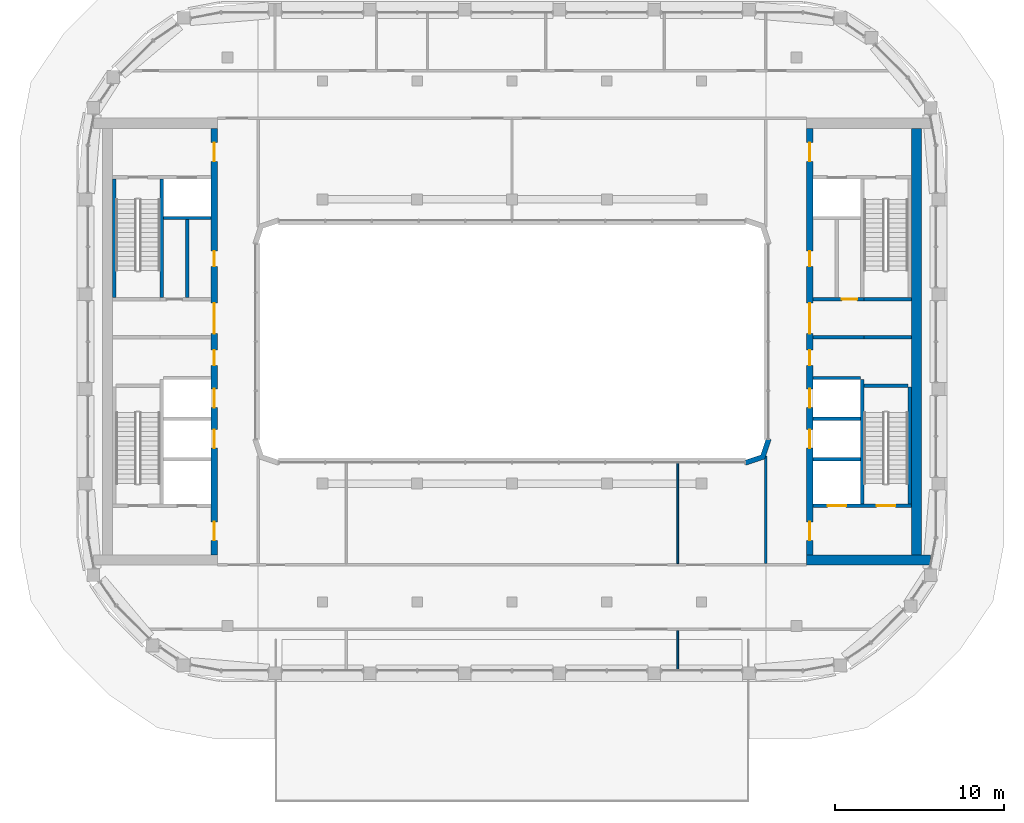
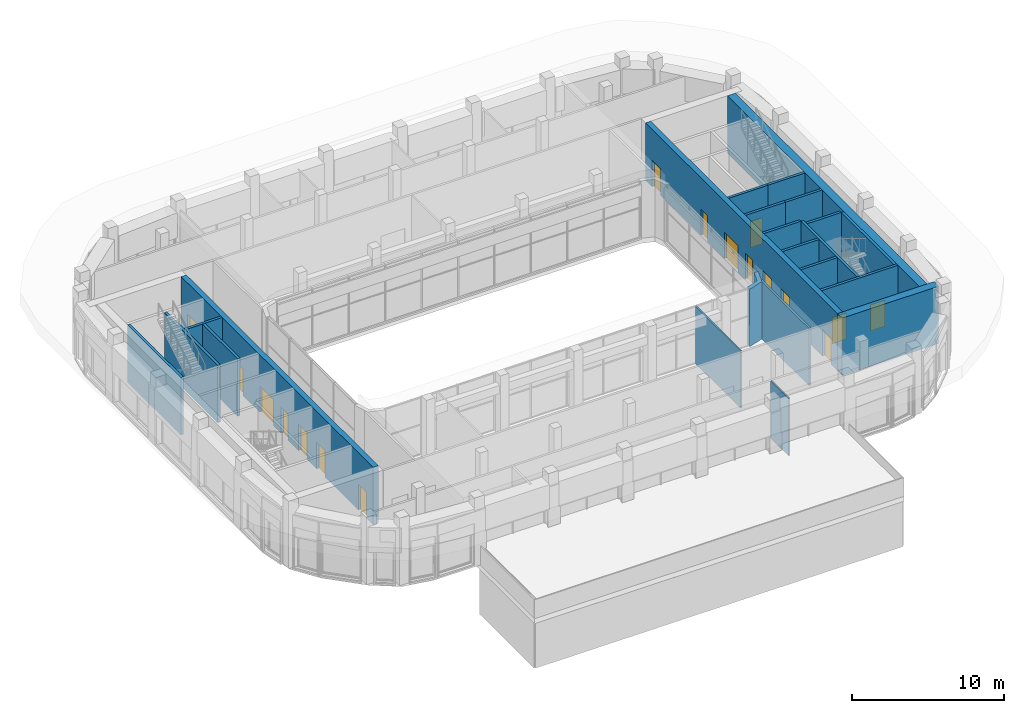
# One storey, part 14 of 23: 23 walls, 17 doors, 17 openings.
"""IFC4 building model written with IfcOpenShell, lengths in metres."""

import ifcopenshell
import ifcopenshell.guid

model = None  # the IFC model being written
_history = None  # IfcOwnerHistory: only IFC2X3 demands one
_inside = {}  # id of a spatial element -> (the spatial element, [elements in it])
_under = {}  # id of a project, library or spatial element -> (it, [spatial elements below it])
_declared = {}  # id of a project -> (the project, [libraries it declares])
_typed = {}  # id of a type object -> (the type object, [elements of that type])
_made_of = {}  # id of a material, layer set ... -> (it, [elements and type objects made of it])


def new_model(schema):
    """Start an empty IFC model of exactly this schema.

    Asked for "IFC4X3", IfcOpenShell would pick the latest addendum, in which some entities
    have other attributes; the version numbers below select the first issue.
    IFC2X3 requires an IfcOwnerHistory on every rooted entity: one is made here for all.
    """
    global model, _history
    if schema == "IFC4X3":
        model = ifcopenshell.file(schema_version=(4, 3, 0, 0))
    else:
        model = ifcopenshell.file(schema=schema)
    _inside.clear()
    _under.clear()
    _declared.clear()
    _typed.clear()
    _made_of.clear()
    _history = None
    if model.schema == "IFC2X3":
        org = make("IfcOrganization", Name="unknown")
        user = make(
            "IfcPersonAndOrganization",
            ThePerson=make("IfcPerson", FamilyName="unknown"),
            TheOrganization=org,
        )
        app = make(
            "IfcApplication",
            ApplicationDeveloper=org,
            Version="unknown",
            ApplicationFullName="unknown",
            ApplicationIdentifier="unknown",
        )
        _history = make(
            "IfcOwnerHistory",
            OwningUser=user,
            OwningApplication=app,
            ChangeAction="ADDED",
            CreationDate=0,
        )
    return model


def make(cls, **values):
    """One entity of the class cls with the attributes given. An attribute that is None is left unset."""
    return model.create_entity(
        cls, **{name: value for name, value in values.items() if value is not None}
    )


def rooted(cls, **values):
    """An entity with a GlobalId (a new one), such as an element, a storey or a relation."""
    return make(cls, GlobalId=ifcopenshell.guid.new(), OwnerHistory=_history, **values)


def si_unit(unit_type, name, prefix=None):
    """IfcSIUnit, for example si_unit("LENGTHUNIT", "METRE", prefix="MILLI")."""
    return make("IfcSIUnit", UnitType=unit_type, Prefix=prefix, Name=name)


def assignment(units):
    """IfcUnitAssignment: the units of a project."""
    return None if units is None else make("IfcUnitAssignment", Units=units)


def point(xyz):
    """IfcCartesianPoint."""
    return None if xyz is None else make("IfcCartesianPoint", Coordinates=xyz)


def direction(xyz):
    """IfcDirection."""
    return None if xyz is None else make("IfcDirection", DirectionRatios=xyz)


def frame(location, z_axis=None, x_axis=None):
    """IfcAxis2Placement3D, a coordinate frame: its origin and axes. An axis left out is left unset."""
    return make(
        "IfcAxis2Placement3D",
        Location=point(location),
        Axis=direction(z_axis),
        RefDirection=direction(x_axis),
    )


def frame_2d(location, x_axis=None):
    """IfcAxis2Placement2D, a coordinate frame in the plane: its origin and x axis."""
    return make(
        "IfcAxis2Placement2D", Location=point(location), RefDirection=direction(x_axis)
    )


def origin():
    """The frame at (0, 0, 0) with its axes left unset."""
    return frame((0.0, 0.0, 0.0))


def place(relative_to, where):
    """IfcLocalPlacement: puts the frame where relative to a parent placement (None: the world)."""
    return make(
        "IfcLocalPlacement", PlacementRelTo=relative_to, RelativePlacement=where
    )


def context(
    kind, dimensions, precision=None, world=None, true_north=None, identifier=None
):
    """IfcGeometricRepresentationContext, for example the 3D "Model" context."""
    return make(
        "IfcGeometricRepresentationContext",
        ContextIdentifier=identifier,
        ContextType=kind,
        CoordinateSpaceDimension=dimensions,
        Precision=precision,
        WorldCoordinateSystem=world,
        TrueNorth=true_north,
    )


def subcontext(parent, identifier, kind, view, scale=None):
    """IfcGeometricRepresentationSubContext, for example "Body" below "Model"."""
    return make(
        "IfcGeometricRepresentationSubContext",
        ContextIdentifier=identifier,
        ContextType=kind,
        ParentContext=parent,
        TargetScale=scale,
        TargetView=view,
    )


def project(units=None, contexts=None):
    """IfcProject with its units and contexts."""
    return rooted(
        "IfcProject",
        Name="project",
        RepresentationContexts=contexts,
        UnitsInContext=assignment(units),
    )


def spatial(cls, under=None, at=None, **own):
    """A site, building, storey or space (cls), placed at a placement, below another one or the project."""
    s = rooted(cls, ObjectPlacement=at, **own)
    if under is not None:
        _under.setdefault(under.id(), (under, []))[1].append(s)
    return s


def polyline(points):
    """IfcPolyline through the points."""
    return make("IfcPolyline", Points=[point(p) for p in points])


def profile(cls, at=None, kind="AREA", **sizes):
    """A parametric profile (cls). Its sizes go by their IFC names, for example OverallWidth=200.0."""
    return make(cls, ProfileType=kind, Position=at, **sizes)


def rectangle(**sizes):
    """IfcRectangleProfileDef."""
    return profile("IfcRectangleProfileDef", **sizes)


def outline(outer, holes=None, kind="AREA"):
    """IfcArbitraryClosedProfileDef: a profile drawn as a closed curve; with holes, ...WithVoids."""
    if holes is None:
        return make("IfcArbitraryClosedProfileDef", ProfileType=kind, OuterCurve=outer)
    return make(
        "IfcArbitraryProfileDefWithVoids",
        ProfileType=kind,
        OuterCurve=outer,
        InnerCurves=holes,
    )


def extrude(swept, where, along, depth):
    """IfcExtrudedAreaSolid: the profile swept, set in the frame where, extruded along a direction by depth."""
    return make(
        "IfcExtrudedAreaSolid",
        SweptArea=swept,
        Position=where,
        ExtrudedDirection=direction(along),
        Depth=depth,
    )


def shape(context_of_items, identifier, shape_type, items):
    """IfcShapeRepresentation: the items that make up one representation, for example the "Body"."""
    return make(
        "IfcShapeRepresentation",
        ContextOfItems=context_of_items,
        RepresentationIdentifier=identifier,
        RepresentationType=shape_type,
        Items=items,
    )


def material(Name=None, Category=None):
    """IfcMaterial."""
    return make("IfcMaterial", Name=Name, Category=Category)


def layer(
    of_material, thickness, ventilated=None, Name=None, Category=None, Priority=None
):
    """IfcMaterialLayer: one layer of a wall or slab, of a material (None: an air gap)."""
    return make(
        "IfcMaterialLayer",
        Material=of_material,
        LayerThickness=thickness,
        IsVentilated=ventilated,
        Name=Name,
        Category=Category,
        Priority=Priority,
    )


def layer_set(layers, Name=None):
    """IfcMaterialLayerSet."""
    return make("IfcMaterialLayerSet", MaterialLayers=layers, LayerSetName=Name)


def made_of(thing, what):
    """Note that an element or type object is made of a material, layer set ...; save() writes the relation."""
    if what is not None:
        _made_of.setdefault(what.id(), (what, []))[1].append(thing)
    return thing


def type_object(cls, material=None, **own):
    """A type object (cls), such as IfcWallType, which elements share."""
    return made_of(rooted(cls, **own), material)


def element(
    cls,
    number,
    at=None,
    inside=None,
    cuts=None,
    type_object=None,
    material=None,
    context=None,
    identifier="Body",
    shape_type=None,
    held_by="IfcProductDefinitionShape",
    body=None,
    shapes=None,
    **own,
):
    """One element of the class cls, such as IfcWall. Its Tag is "e" and its number.

    at: its placement. inside: the storey or other place that contains it. cuts: it is an
    opening in that element (IfcRelVoidsElement). A single representation is given by context,
    identifier, shape_type and body (its items); several are given by shapes. held_by: the class
    of the entity that holds the representations. save() writes the other relations.
    """
    e = rooted(cls, Tag="e%d" % number, ObjectPlacement=at, **own)
    if body is not None:
        shapes = [shape(context, identifier, shape_type, body)]
    if shapes is not None:
        e.Representation = make(held_by, Representations=shapes)
    if inside is not None:
        _inside.setdefault(inside.id(), (inside, []))[1].append(e)
    if cuts is not None:
        rooted(
            "IfcRelVoidsElement", RelatingBuildingElement=cuts, RelatedOpeningElement=e
        )
    if type_object is not None:
        _typed.setdefault(type_object.id(), (type_object, []))[1].append(e)
    return made_of(e, material)


def fill(opening, filler):
    """IfcRelFillsElement: the door or window that sits in an opening."""
    return rooted(
        "IfcRelFillsElement",
        RelatingOpeningElement=opening,
        RelatedBuildingElement=filler,
    )


def aggregate(whole, parts):
    """IfcRelAggregates: a whole, such as a stair, and the parts it consists of."""
    return rooted("IfcRelAggregates", RelatingObject=whole, RelatedObjects=parts)


def save(model, path):
    """Write the relations noted so far, then the file.

    IfcRelAggregates (storeys below a building ...), IfcRelContainedInSpatialStructure (elements
    in a storey), IfcRelDefinesByType, IfcRelAssociatesMaterial and IfcRelDeclares: one each for
    every whole, place, type object, material and project.
    """
    for whole, parts in _under.values():
        aggregate(whole, parts)
    for where, things in _inside.values():
        rooted(
            "IfcRelContainedInSpatialStructure",
            RelatedElements=things,
            RelatingStructure=where,
        )
    for kind, things in _typed.values():
        rooted("IfcRelDefinesByType", RelatedObjects=things, RelatingType=kind)
    for what, things in _made_of.values():
        rooted("IfcRelAssociatesMaterial", RelatedObjects=things, RelatingMaterial=what)
    for by, libraries in _declared.values():
        rooted("IfcRelDeclares", RelatingContext=by, RelatedDefinitions=libraries)
    model.write(path)


model = new_model("IFC4")

# Units and contexts
model_context = context("Model", 3, precision=1e-05, world=origin(), true_north=direction((0.0, 1.0)))
body_context = subcontext(model_context, "Body", "Model", "MODEL_VIEW")
ifc_project = project(units=[si_unit("LENGTHUNIT", "METRE"), si_unit("AREAUNIT", "SQUARE_METRE"), si_unit("VOLUMEUNIT", "CUBIC_METRE"), si_unit("PLANEANGLEUNIT", "RADIAN"), si_unit("MASSUNIT", "GRAM", prefix="KILO")], contexts=[model_context])

# Site, building, storey
site_placement = place(None, origin())
site = spatial("IfcSite", under=ifc_project, at=site_placement, CompositionType="ELEMENT")
building_placement = place(site_placement, origin())
building = spatial("IfcBuilding", under=site, at=building_placement, Name="Kiln Ring Residences", CompositionType="ELEMENT")
storey_placement = place(building_placement, frame((0.0, 0.0, 294.5)))
storey = spatial("IfcBuildingStorey", under=building, at=storey_placement, Name="L76", CompositionType="ELEMENT", Elevation=294.5)

# Walls
ifc_material_1 = material(Name="Gypsum board on steel studs", Category="steel")
ifc_layer_1 = layer(ifc_material_1, 0.199951171875)
ifc_layer_set_1 = layer_set([ifc_layer_1], Name="CORE-PARTITION-200")
wall_type_1 = type_object("IfcWallType", Name="CORE-PARTITION-200", PredefinedType="PARTITIONING", material=ifc_layer_set_1)
wall_1_placement = place(storey_placement, frame((-19.199951171875, 2.60009765625, 0.0), z_axis=(0.0, 0.0, 1.0), x_axis=(0.0, 1.0, 0.0)))
element("IfcWall", 1, at=wall_1_placement, inside=storey, type_object=wall_type_1, Name="Core partition west L76 2", PredefinedType="PARTITIONING", context=body_context, shape_type="SweptSolid", body=[
    extrude(rectangle(XDim=4.599853515625, YDim=0.199951171875, at=frame_2d((2.2998046875, 0.0))), origin(), (0.0, 0.0, 1.0), 4.60009765625),
])
wall_2_placement = place(storey_placement, frame((20.800048828125, 0.25, 0.0), z_axis=(0.0, 0.0, 1.0), x_axis=(1.0, 0.0, 0.0)))
element("IfcWall", 2, at=wall_2_placement, inside=storey, type_object=wall_type_1, Name="Core partition east L76 1", PredefinedType="PARTITIONING", context=body_context, shape_type="SweptSolid", body=[
    extrude(rectangle(XDim=2.800048828125, YDim=0.199951171875, at=frame_2d((1.39990234375, 0.0))), origin(), (0.0, 0.0, 1.0), 4.60009765625),
])
ifc_material_2 = material(Name="Gypsum shaft wall system")
ifc_layer_2 = layer(ifc_material_2, 0.199951171875)
ifc_layer_set_2 = layer_set([ifc_layer_2], Name="CORE-SHAFT-WALL-200")
wall_type_2 = type_object("IfcWallType", Name="CORE-SHAFT-WALL-200", PredefinedType="PARTITIONING", material=ifc_layer_set_2)
for number, where, z_axis, x_axis, name in (
    (3, (-17.800048828125, 7.300048828125, 0.0), (0.0, 0.0, 1.0), (-1.0, 0.0, 0.0), "Core partition west L76 8"),
    (4, (17.800048828125, -6.949951171875, 0.0), (0.0, 0.0, 1.0), (1.0, 0.0, 0.0), "Core partition east L76 3"),
    (5, (17.800048828125, -4.550048828125, 0.0), (0.0, 0.0, 1.0), (1.0, 0.0, 0.0), "Core partition east L76 4"),
    (6, (17.800048828125, -2.14990234375, 0.0), (0.0, 0.0, 1.0), (1.0, 0.0, 0.0), "Core partition east L76 5"),
):
    element("IfcWall", number, at=place(storey_placement, frame(where, z_axis=z_axis, x_axis=x_axis)), inside=storey, type_object=wall_type_2, Name=name, PredefinedType="PARTITIONING", context=body_context, shape_type="SweptSolid", body=[
        extrude(rectangle(XDim=2.800048828125, YDim=0.199951171875, at=frame_2d((1.39990234375, 0.0))), origin(), (0.0, 0.0, 1.0), 4.60009765625),
    ])
wall_3_placement = place(storey_placement, frame((17.800048828125, 0.25, 0.0), z_axis=(0.0, 0.0, 1.0), x_axis=(1.0, 0.0, 0.0)))
element("IfcWall", 7, at=wall_3_placement, inside=storey, type_object=wall_type_2, Name="Core partition east L76 6", PredefinedType="PARTITIONING", context=body_context, shape_type="SweptSolid", body=[
    extrude(rectangle(XDim=3.0, YDim=0.199951171875, at=frame_2d((1.5, 0.0))), origin(), (0.0, 0.0, 1.0), 4.60009765625),
])

# Wall, opening, door
wall_4_placement = place(storey_placement, frame((17.800048828125, 2.5, 0.0), z_axis=(0.0, 0.0, 1.0), x_axis=(1.0, 0.0, 0.0)))
wall_4 = element("IfcWall", 8, at=wall_4_placement, inside=storey, type_object=wall_type_2, Name="Core partition east L76 7", PredefinedType="PARTITIONING", context=body_context, shape_type="SweptSolid", body=[
    extrude(rectangle(XDim=3.0, YDim=0.199951171875, at=frame_2d((1.5, 0.0))), origin(), (0.0, 0.0, 1.0), 4.60009765625),
])
opening_1_placement = place(wall_4_placement, frame((1.699951171875, 0.0, 0.0)))
opening_1 = element("IfcOpeningElement", 9, at=opening_1_placement, cuts=wall_4, Name="Opening L76-CE06", PredefinedType="OPENING", context=body_context, shape_type="SweptSolid", body=[
    extrude(rectangle(XDim=0.89990234375, YDim=2.10009765625, at=frame_2d((0.449951171875, 1.050048828125))), frame((0.0, 0.10986328125, 0.0), z_axis=(0.0, -1.0, 0.0), x_axis=(1.0, 0.0, 0.0)), (0.0, 0.0, 1.0), 0.219970703125),
])
ifc_material_3 = material(Name="Steel door leaf", Category="steel")
door_type_1 = type_object("IfcDoorType", Name="CORE-DOOR-ROOM", OperationType="SINGLE_SWING_LEFT", PredefinedType="DOOR", material=ifc_material_3)
door_1_placement = place(opening_1_placement, origin())
door_1 = element("IfcDoor", 10, at=door_1_placement, inside=storey, type_object=door_type_1, Name="Service store L76-CE06", OperationType="SINGLE_SWING_RIGHT", OverallHeight=2.10009765625, OverallWidth=0.89990234375, PredefinedType="DOOR", context=body_context, shape_type="SweptSolid", body=[
    extrude(rectangle(XDim=0.89990234375, YDim=2.10009765625, at=frame_2d((0.449951171875, 1.050048828125))), frame((0.0, 0.02490234375, 0.0), z_axis=(0.0, -1.0, 0.0), x_axis=(1.0, 0.0, 0.0)), (0.0, 0.0, 1.0), 0.050048828125),
])
fill(opening_1, door_1)

# Walls
ifc_material_4 = material(Name="Concrete C40/50", Category="concrete")
ifc_layer_3 = layer(ifc_material_4, 0.199951171875)
ifc_layer_set_3 = layer_set([ifc_layer_3], Name="CORE-WALL-RC200")
wall_type_3 = type_object("IfcWallType", Name="CORE-WALL-RC200", PredefinedType="SHEAR", material=ifc_layer_set_3)
for number, where, z_axis, x_axis, name in (
    (11, (-20.699951171875, 2.60009765625, 0.0), (0.0, 0.0, 1.0), (0.0, 1.0, 0.0), "Core wall west L76 1"),
    (12, (-23.5, 2.60009765625, 0.0), (0.0, 0.0, 1.0), (0.0, 1.0, 0.0), "Core wall west L76 10"),
):
    element("IfcWall", number, at=place(storey_placement, frame(where, z_axis=z_axis, x_axis=x_axis)), inside=storey, type_object=wall_type_3, Name=name, PredefinedType="SHEAR", context=body_context, shape_type="SweptSolid", body=[
        extrude(rectangle(XDim=7.0, YDim=0.199951171875, at=frame_2d((3.5, 0.0))), origin(), (0.0, 0.0, 1.0), 4.60009765625),
    ])
wall_5_placement = place(storey_placement, frame((20.699951171875, -9.60009765625, 0.0), z_axis=(0.0, 0.0, 1.0), x_axis=(0.0, 1.0, 0.0)))
element("IfcWall", 13, at=wall_5_placement, inside=storey, type_object=wall_type_3, Name="Core wall east L76 2", PredefinedType="SHEAR", context=body_context, shape_type="SweptSolid", body=[
    extrude(rectangle(XDim=7.35009765625, YDim=0.199951171875, at=frame_2d((3.675048828125, 0.0))), origin(), (0.0, 0.0, 1.0), 4.60009765625),
])
wall_6_placement = place(storey_placement, frame((20.800048828125, 2.5, 0.0), z_axis=(0.0, 0.0, 1.0), x_axis=(1.0, 0.0, 0.0)))
element("IfcWall", 14, at=wall_6_placement, inside=storey, type_object=wall_type_3, Name="Core wall east L76 3", PredefinedType="SHEAR", context=body_context, shape_type="SweptSolid", body=[
    extrude(rectangle(XDim=2.800048828125, YDim=0.199951171875, at=frame_2d((1.39990234375, 0.0))), origin(), (0.0, 0.0, 1.0), 4.60009765625),
])

# Wall, openings, doors
wall_7_placement = place(storey_placement, frame((17.800048828125, -9.699951171875, 0.0), z_axis=(0.0, 0.0, 1.0), x_axis=(1.0, 0.0, 0.0)))
wall_7 = element("IfcWall", 15, at=wall_7_placement, inside=storey, type_object=wall_type_3, Name="Core wall east L76 8", PredefinedType="SHEAR", context=body_context, shape_type="SweptSolid", body=[
    extrude(rectangle(XDim=5.800048828125, YDim=0.199951171875, at=frame_2d((2.89990234375, 0.0))), origin(), (0.0, 0.0, 1.0), 4.60009765625),
])
opening_2_placement = place(wall_7_placement, frame((0.85009765625, 0.0, 0.0)))
opening_2 = element("IfcOpeningElement", 16, at=opening_2_placement, cuts=wall_7, Name="Opening L76-CE01", PredefinedType="OPENING", context=body_context, shape_type="SweptSolid", body=[
    extrude(rectangle(XDim=1.10009765625, YDim=2.10009765625, at=frame_2d((0.550048828125, 1.050048828125))), frame((0.0, 0.10986328125, 0.0), z_axis=(0.0, -1.0, 0.0), x_axis=(1.0, 0.0, 0.0)), (0.0, 0.0, 1.0), 0.219970703125),
])
opening_3_placement = place(wall_7_placement, frame((3.75, 0.0, 0.0)))
opening_3 = element("IfcOpeningElement", 17, at=opening_3_placement, cuts=wall_7, Name="Opening L76-CE11", PredefinedType="OPENING", context=body_context, shape_type="SweptSolid", body=[
    extrude(rectangle(XDim=1.10009765625, YDim=2.10009765625, at=frame_2d((0.550048828125, 1.050048828125))), frame((0.0, 0.10986328125, 0.0), z_axis=(0.0, -1.0, 0.0), x_axis=(1.0, 0.0, 0.0)), (0.0, 0.0, 1.0), 0.219970703125),
])
ifc_material_5 = material(Name="Steel door leaf", Category="steel")
door_type_2 = type_object("IfcDoorType", Name="CORE-DOOR-LD", OperationType="DOUBLE_DOOR_SLIDING", PredefinedType="DOOR", material=ifc_material_5)
door_2_placement = place(opening_2_placement, origin())
door_2 = element("IfcDoor", 18, at=door_2_placement, inside=storey, type_object=door_type_2, Name="LD E-SV L76-CE01", OperationType="DOUBLE_DOOR_SLIDING", OverallHeight=2.10009765625, OverallWidth=1.10009765625, PredefinedType="DOOR", context=body_context, shape_type="SweptSolid", body=[
    extrude(rectangle(XDim=1.10009765625, YDim=2.10009765625, at=frame_2d((0.550048828125, 1.050048828125))), frame((0.0, 0.02490234375, 0.0), z_axis=(0.0, -1.0, 0.0), x_axis=(1.0, 0.0, 0.0)), (0.0, 0.0, 1.0), 0.050048828125),
])
fill(opening_2, door_2)
ifc_material_6 = material(Name="Steel door leaf", Category="steel")
door_type_3 = type_object("IfcDoorType", Name="CORE-DOOR-STAIR", OperationType="SINGLE_SWING_LEFT", PredefinedType="DOOR", material=ifc_material_6)
door_3_placement = place(opening_3_placement, origin())
door_3 = element("IfcDoor", 19, at=door_3_placement, inside=storey, type_object=door_type_3, Name="Stair E-STS L76-CE11", OperationType="SINGLE_SWING_LEFT", OverallHeight=2.10009765625, OverallWidth=1.10009765625, PredefinedType="DOOR", context=body_context, shape_type="SweptSolid", body=[
    extrude(rectangle(XDim=1.10009765625, YDim=2.10009765625, at=frame_2d((0.550048828125, 1.050048828125))), frame((0.0, 0.02490234375, 0.0), z_axis=(0.0, -1.0, 0.0), x_axis=(1.0, 0.0, 0.0)), (0.0, 0.0, 1.0), 0.050048828125),
])
fill(opening_3, door_3)

# Walls
wall_8_placement = place(storey_placement, frame((23.5, -9.60009765625, 0.0), z_axis=(0.0, 0.0, 1.0), x_axis=(0.0, 1.0, 0.0)))
element("IfcWall", 20, at=wall_8_placement, inside=storey, type_object=wall_type_3, Name="Core wall east L76 11", PredefinedType="SHEAR", context=body_context, shape_type="SweptSolid", body=[
    extrude(rectangle(XDim=6.900146484375, YDim=0.199951171875, at=frame_2d((3.4501953125, 0.0))), origin(), (0.0, 0.0, 1.0), 4.60009765625),
])
wall_9_placement = place(storey_placement, frame((20.800048828125, -2.60009765625, 0.0), z_axis=(0.0, 0.0, 1.0), x_axis=(1.0, 0.0, 0.0)))
element("IfcWall", 21, at=wall_9_placement, inside=storey, type_object=wall_type_3, Name="Core wall east L76 12", PredefinedType="SHEAR", context=body_context, shape_type="SweptSolid", body=[
    extrude(rectangle(XDim=2.599853515625, YDim=0.199951171875, at=frame_2d((1.2998046875, 0.0))), origin(), (0.0, 0.0, 1.0), 4.60009765625),
])

# Wall, openings, doors
ifc_material_7 = material(Name="Concrete C60/75", Category="concrete")
ifc_layer_4 = layer(ifc_material_7, 0.39990234375)
ifc_layer_set_4 = layer_set([ifc_layer_4], Name="CORE-WALL-RC400")
wall_type_4 = type_object("IfcWallType", Name="CORE-WALL-RC400", PredefinedType="SHEAR", material=ifc_layer_set_4)
wall_10_placement = place(storey_placement, frame((-17.60009765625, -12.60009765625, 0.0), z_axis=(0.0, 0.0, 1.0), x_axis=(0.0, 1.0, 0.0)))
wall_10 = element("IfcWall", 22, at=wall_10_placement, inside=storey, type_object=wall_type_4, Name="Core wall west L76 6", PredefinedType="SHEAR", context=body_context, shape_type="SweptSolid", body=[
    extrude(rectangle(XDim=25.2001953125, YDim=0.39990234375, at=frame_2d((12.60009765625, 0.0))), origin(), (0.0, 0.0, 1.0), 4.60009765625),
])
opening_4_placement = place(wall_10_placement, frame((6.300048828125, 0.0, 0.0)))
opening_4 = element("IfcOpeningElement", 23, at=opening_4_placement, cuts=wall_10, Name="Opening L76-CW02", PredefinedType="OPENING", context=body_context, shape_type="SweptSolid", body=[
    extrude(rectangle(XDim=1.10009765625, YDim=2.10009765625, at=frame_2d((0.550048828125, 1.050048828125))), frame((0.0, 0.2099609375, 0.0), z_axis=(0.0, -1.0, 0.0), x_axis=(1.0, 0.0, 0.0)), (0.0, 0.0, 1.0), 0.419921875),
])
opening_5_placement = place(wall_10_placement, frame((8.699951171875, 0.0, 0.0)))
opening_5 = element("IfcOpeningElement", 24, at=opening_5_placement, cuts=wall_10, Name="Opening L76-CW03", PredefinedType="OPENING", context=body_context, shape_type="SweptSolid", body=[
    extrude(rectangle(XDim=1.10009765625, YDim=2.10009765625, at=frame_2d((0.550048828125, 1.050048828125))), frame((0.0, 0.2099609375, 0.0), z_axis=(0.0, -1.0, 0.0), x_axis=(1.0, 0.0, 0.0)), (0.0, 0.0, 1.0), 0.419921875),
])
opening_6_placement = place(wall_10_placement, frame((11.199951171875, 0.0, 0.0)))
opening_6 = element("IfcOpeningElement", 25, at=opening_6_placement, cuts=wall_10, Name="Opening L76-CW04", PredefinedType="OPENING", context=body_context, shape_type="SweptSolid", body=[
    extrude(rectangle(XDim=0.89990234375, YDim=2.10009765625, at=frame_2d((0.449951171875, 1.050048828125))), frame((0.0, 0.2099609375, 0.0), z_axis=(0.0, -1.0, 0.0), x_axis=(1.0, 0.0, 0.0)), (0.0, 0.0, 1.0), 0.419921875),
])
opening_7_placement = place(wall_10_placement, frame((17.050048828125, 0.0, 0.0)))
opening_7 = element("IfcOpeningElement", 26, at=opening_7_placement, cuts=wall_10, Name="Opening L76-CW05", PredefinedType="OPENING", context=body_context, shape_type="SweptSolid", body=[
    extrude(rectangle(XDim=0.89990234375, YDim=2.10009765625, at=frame_2d((0.449951171875, 1.050048828125))), frame((0.0, 0.2099609375, 0.0), z_axis=(0.0, -1.0, 0.0), x_axis=(1.0, 0.0, 0.0)), (0.0, 0.0, 1.0), 0.419921875),
])
opening_8_placement = place(wall_10_placement, frame((23.25, 0.0, 0.0)))
opening_8 = element("IfcOpeningElement", 27, at=opening_8_placement, cuts=wall_10, Name="Opening L76-CW08", PredefinedType="OPENING", context=body_context, shape_type="SweptSolid", body=[
    extrude(rectangle(XDim=1.10009765625, YDim=2.10009765625, at=frame_2d((0.550048828125, 1.050048828125))), frame((0.0, 0.2099609375, 0.0), z_axis=(0.0, -1.0, 0.0), x_axis=(1.0, 0.0, 0.0)), (0.0, 0.0, 1.0), 0.419921875),
])
opening_9_placement = place(wall_10_placement, frame((0.85009765625, 0.0, 0.0)))
opening_9 = element("IfcOpeningElement", 28, at=opening_9_placement, cuts=wall_10, Name="Opening L76-CW09", PredefinedType="OPENING", context=body_context, shape_type="SweptSolid", body=[
    extrude(rectangle(XDim=1.10009765625, YDim=2.10009765625, at=frame_2d((0.550048828125, 1.050048828125))), frame((0.0, 0.2099609375, 0.0), z_axis=(0.0, -1.0, 0.0), x_axis=(1.0, 0.0, 0.0)), (0.0, 0.0, 1.0), 0.419921875),
])
opening_10_placement = place(wall_10_placement, frame((13.074951171875, 0.0, 0.0)))
opening_10 = element("IfcOpeningElement", 29, at=opening_10_placement, cuts=wall_10, Name="Opening L76-CW12", PredefinedType="OPENING", context=body_context, shape_type="SweptSolid", body=[
    extrude(rectangle(XDim=1.800048828125, YDim=2.10009765625, at=frame_2d((0.89990234375, 1.050048828125))), frame((0.0, 0.2099609375, 0.0), z_axis=(0.0, -1.0, 0.0), x_axis=(1.0, 0.0, 0.0)), (0.0, 0.0, 1.0), 0.419921875),
])
door_4_placement = place(opening_4_placement, origin())
door_4 = element("IfcDoor", 30, at=door_4_placement, inside=storey, type_object=door_type_2, Name="LD W-H1 L76-CW02", OperationType="DOUBLE_DOOR_SLIDING", OverallHeight=2.10009765625, OverallWidth=1.10009765625, PredefinedType="DOOR", context=body_context, shape_type="SweptSolid", body=[
    extrude(rectangle(XDim=1.10009765625, YDim=2.10009765625, at=frame_2d((0.550048828125, 1.050048828125))), frame((0.0, 0.02490234375, 0.0), z_axis=(0.0, -1.0, 0.0), x_axis=(1.0, 0.0, 0.0)), (0.0, 0.0, 1.0), 0.050048828125),
])
fill(opening_4, door_4)
door_5_placement = place(opening_5_placement, origin())
door_5 = element("IfcDoor", 31, at=door_5_placement, inside=storey, type_object=door_type_2, Name="LD W-H2 L76-CW03", OperationType="DOUBLE_DOOR_SLIDING", OverallHeight=2.10009765625, OverallWidth=1.10009765625, PredefinedType="DOOR", context=body_context, shape_type="SweptSolid", body=[
    extrude(rectangle(XDim=1.10009765625, YDim=2.10009765625, at=frame_2d((0.550048828125, 1.050048828125))), frame((0.0, 0.02490234375, 0.0), z_axis=(0.0, -1.0, 0.0), x_axis=(1.0, 0.0, 0.0)), (0.0, 0.0, 1.0), 0.050048828125),
])
fill(opening_5, door_5)
ifc_material_8 = material(Name="Steel door leaf", Category="steel")
door_type_4 = type_object("IfcDoorType", Name="CORE-DOOR-LOBBY", OperationType="SINGLE_SWING_LEFT", PredefinedType="DOOR", material=ifc_material_8)
door_6_placement = place(opening_8_placement, origin())
door_6 = element("IfcDoor", 32, at=door_6_placement, inside=storey, type_object=door_type_4, Name="FFL L76-CW08", OperationType="SINGLE_SWING_LEFT", OverallHeight=2.10009765625, OverallWidth=1.10009765625, PredefinedType="DOOR", context=body_context, shape_type="SweptSolid", body=[
    extrude(rectangle(XDim=1.10009765625, YDim=2.10009765625, at=frame_2d((0.550048828125, 1.050048828125))), frame((0.0, 0.02490234375, 0.0), z_axis=(0.0, -1.0, 0.0), x_axis=(1.0, 0.0, 0.0)), (0.0, 0.0, 1.0), 0.050048828125),
])
fill(opening_8, door_6)
door_7_placement = place(opening_9_placement, origin())
door_7 = element("IfcDoor", 33, at=door_7_placement, inside=storey, type_object=door_type_4, Name="SVL L76-CW09", OperationType="SINGLE_SWING_RIGHT", OverallHeight=2.10009765625, OverallWidth=1.10009765625, PredefinedType="DOOR", context=body_context, shape_type="SweptSolid", body=[
    extrude(rectangle(XDim=1.10009765625, YDim=2.10009765625, at=frame_2d((0.550048828125, 1.050048828125))), frame((0.0, 0.02490234375, 0.0), z_axis=(0.0, -1.0, 0.0), x_axis=(1.0, 0.0, 0.0)), (0.0, 0.0, 1.0), 0.050048828125),
])
fill(opening_9, door_7)
ifc_material_9 = material(Name="Steel door leaf", Category="steel")
door_type_5 = type_object("IfcDoorType", Name="CORE-DOOR-PASS", OperationType="DOUBLE_DOOR_SINGLE_SWING", PredefinedType="DOOR", material=ifc_material_9)
door_8_placement = place(opening_10_placement, origin())
door_8 = element("IfcDoor", 34, at=door_8_placement, inside=storey, type_object=door_type_5, Name="Core passage L76-CW12", OperationType="DOUBLE_DOOR_SINGLE_SWING", OverallHeight=2.10009765625, OverallWidth=1.800048828125, PredefinedType="DOOR", context=body_context, shape_type="SweptSolid", body=[
    extrude(rectangle(XDim=1.800048828125, YDim=2.10009765625, at=frame_2d((0.89990234375, 1.050048828125))), frame((0.0, 0.02490234375, 0.0), z_axis=(0.0, -1.0, 0.0), x_axis=(1.0, 0.0, 0.0)), (0.0, 0.0, 1.0), 0.050048828125),
])
fill(opening_10, door_8)
door_9_placement = place(opening_6_placement, origin())
door_9 = element("IfcDoor", 35, at=door_9_placement, inside=storey, type_object=door_type_1, Name="Recycling store L76-CW04", OperationType="SINGLE_SWING_RIGHT", OverallHeight=2.10009765625, OverallWidth=0.89990234375, PredefinedType="DOOR", context=body_context, shape_type="SweptSolid", body=[
    extrude(rectangle(XDim=0.89990234375, YDim=2.10009765625, at=frame_2d((0.449951171875, 1.050048828125))), frame((0.0, 0.02490234375, 0.0), z_axis=(0.0, -1.0, 0.0), x_axis=(1.0, 0.0, 0.0)), (0.0, 0.0, 1.0), 0.050048828125),
])
fill(opening_6, door_9)
door_10_placement = place(opening_7_placement, origin())
door_10 = element("IfcDoor", 36, at=door_10_placement, inside=storey, type_object=door_type_1, Name="Linen store L76-CW05", OperationType="SINGLE_SWING_LEFT", OverallHeight=2.10009765625, OverallWidth=0.89990234375, PredefinedType="DOOR", context=body_context, shape_type="SweptSolid", body=[
    extrude(rectangle(XDim=0.89990234375, YDim=2.10009765625, at=frame_2d((0.449951171875, 1.050048828125))), frame((0.0, 0.02490234375, 0.0), z_axis=(0.0, -1.0, 0.0), x_axis=(1.0, 0.0, 0.0)), (0.0, 0.0, 1.0), 0.050048828125),
])
fill(opening_7, door_10)

wall_11_placement = place(storey_placement, frame((17.60009765625, -12.60009765625, 0.0), z_axis=(0.0, 0.0, 1.0), x_axis=(0.0, 1.0, 0.0)))
wall_11 = element("IfcWall", 37, at=wall_11_placement, inside=storey, type_object=wall_type_4, Name="Core wall east L76 6", PredefinedType="SHEAR", context=body_context, shape_type="SweptSolid", body=[
    extrude(rectangle(XDim=25.2001953125, YDim=0.39990234375, at=frame_2d((12.60009765625, 0.0))), origin(), (0.0, 0.0, 1.0), 4.60009765625),
])
opening_11_placement = place(wall_11_placement, frame((6.300048828125, 0.0, 0.0)))
opening_11 = element("IfcOpeningElement", 38, at=opening_11_placement, cuts=wall_11, Name="Opening L76-CE02", PredefinedType="OPENING", context=body_context, shape_type="SweptSolid", body=[
    extrude(rectangle(XDim=1.10009765625, YDim=2.10009765625, at=frame_2d((0.550048828125, 1.050048828125))), frame((0.0, 0.2099609375, 0.0), z_axis=(0.0, -1.0, 0.0), x_axis=(1.0, 0.0, 0.0)), (0.0, 0.0, 1.0), 0.419921875),
])
opening_12_placement = place(wall_11_placement, frame((8.699951171875, 0.0, 0.0)))
opening_12 = element("IfcOpeningElement", 39, at=opening_12_placement, cuts=wall_11, Name="Opening L76-CE03", PredefinedType="OPENING", context=body_context, shape_type="SweptSolid", body=[
    extrude(rectangle(XDim=1.10009765625, YDim=2.10009765625, at=frame_2d((0.550048828125, 1.050048828125))), frame((0.0, 0.2099609375, 0.0), z_axis=(0.0, -1.0, 0.0), x_axis=(1.0, 0.0, 0.0)), (0.0, 0.0, 1.0), 0.419921875),
])
opening_13_placement = place(wall_11_placement, frame((11.199951171875, 0.0, 0.0)))
opening_13 = element("IfcOpeningElement", 40, at=opening_13_placement, cuts=wall_11, Name="Opening L76-CE04", PredefinedType="OPENING", context=body_context, shape_type="SweptSolid", body=[
    extrude(rectangle(XDim=0.89990234375, YDim=2.10009765625, at=frame_2d((0.449951171875, 1.050048828125))), frame((0.0, 0.2099609375, 0.0), z_axis=(0.0, -1.0, 0.0), x_axis=(1.0, 0.0, 0.0)), (0.0, 0.0, 1.0), 0.419921875),
])
opening_14_placement = place(wall_11_placement, frame((17.050048828125, 0.0, 0.0)))
opening_14 = element("IfcOpeningElement", 41, at=opening_14_placement, cuts=wall_11, Name="Opening L76-CE05", PredefinedType="OPENING", context=body_context, shape_type="SweptSolid", body=[
    extrude(rectangle(XDim=0.89990234375, YDim=2.10009765625, at=frame_2d((0.449951171875, 1.050048828125))), frame((0.0, 0.2099609375, 0.0), z_axis=(0.0, -1.0, 0.0), x_axis=(1.0, 0.0, 0.0)), (0.0, 0.0, 1.0), 0.419921875),
])
opening_15_placement = place(wall_11_placement, frame((23.25, 0.0, 0.0)))
opening_15 = element("IfcOpeningElement", 42, at=opening_15_placement, cuts=wall_11, Name="Opening L76-CE08", PredefinedType="OPENING", context=body_context, shape_type="SweptSolid", body=[
    extrude(rectangle(XDim=1.10009765625, YDim=2.10009765625, at=frame_2d((0.550048828125, 1.050048828125))), frame((0.0, 0.2099609375, 0.0), z_axis=(0.0, -1.0, 0.0), x_axis=(1.0, 0.0, 0.0)), (0.0, 0.0, 1.0), 0.419921875),
])
opening_16_placement = place(wall_11_placement, frame((0.85009765625, 0.0, 0.0)))
opening_16 = element("IfcOpeningElement", 43, at=opening_16_placement, cuts=wall_11, Name="Opening L76-CE09", PredefinedType="OPENING", context=body_context, shape_type="SweptSolid", body=[
    extrude(rectangle(XDim=1.10009765625, YDim=2.10009765625, at=frame_2d((0.550048828125, 1.050048828125))), frame((0.0, 0.2099609375, 0.0), z_axis=(0.0, -1.0, 0.0), x_axis=(1.0, 0.0, 0.0)), (0.0, 0.0, 1.0), 0.419921875),
])
opening_17_placement = place(wall_11_placement, frame((13.074951171875, 0.0, 0.0)))
opening_17 = element("IfcOpeningElement", 44, at=opening_17_placement, cuts=wall_11, Name="Opening L76-CE12", PredefinedType="OPENING", context=body_context, shape_type="SweptSolid", body=[
    extrude(rectangle(XDim=1.800048828125, YDim=2.10009765625, at=frame_2d((0.89990234375, 1.050048828125))), frame((0.0, 0.2099609375, 0.0), z_axis=(0.0, -1.0, 0.0), x_axis=(1.0, 0.0, 0.0)), (0.0, 0.0, 1.0), 0.419921875),
])
door_11_placement = place(opening_11_placement, origin())
door_11 = element("IfcDoor", 45, at=door_11_placement, inside=storey, type_object=door_type_2, Name="LD E-H1 L76-CE02", OperationType="DOUBLE_DOOR_SLIDING", OverallHeight=2.10009765625, OverallWidth=1.10009765625, PredefinedType="DOOR", context=body_context, shape_type="SweptSolid", body=[
    extrude(rectangle(XDim=1.10009765625, YDim=2.10009765625, at=frame_2d((0.550048828125, 1.050048828125))), frame((0.0, 0.02490234375, 0.0), z_axis=(0.0, -1.0, 0.0), x_axis=(1.0, 0.0, 0.0)), (0.0, 0.0, 1.0), 0.050048828125),
])
fill(opening_11, door_11)
door_12_placement = place(opening_12_placement, origin())
door_12 = element("IfcDoor", 46, at=door_12_placement, inside=storey, type_object=door_type_2, Name="LD E-H2 L76-CE03", OperationType="DOUBLE_DOOR_SLIDING", OverallHeight=2.10009765625, OverallWidth=1.10009765625, PredefinedType="DOOR", context=body_context, shape_type="SweptSolid", body=[
    extrude(rectangle(XDim=1.10009765625, YDim=2.10009765625, at=frame_2d((0.550048828125, 1.050048828125))), frame((0.0, 0.02490234375, 0.0), z_axis=(0.0, -1.0, 0.0), x_axis=(1.0, 0.0, 0.0)), (0.0, 0.0, 1.0), 0.050048828125),
])
fill(opening_12, door_12)
door_13_placement = place(opening_15_placement, origin())
door_13 = element("IfcDoor", 47, at=door_13_placement, inside=storey, type_object=door_type_4, Name="FFL L76-CE08", OperationType="SINGLE_SWING_RIGHT", OverallHeight=2.10009765625, OverallWidth=1.10009765625, PredefinedType="DOOR", context=body_context, shape_type="SweptSolid", body=[
    extrude(rectangle(XDim=1.10009765625, YDim=2.10009765625, at=frame_2d((0.550048828125, 1.050048828125))), frame((0.0, 0.02490234375, 0.0), z_axis=(0.0, -1.0, 0.0), x_axis=(1.0, 0.0, 0.0)), (0.0, 0.0, 1.0), 0.050048828125),
])
fill(opening_15, door_13)
door_14_placement = place(opening_16_placement, origin())
door_14 = element("IfcDoor", 48, at=door_14_placement, inside=storey, type_object=door_type_4, Name="SVL L76-CE09", OperationType="SINGLE_SWING_LEFT", OverallHeight=2.10009765625, OverallWidth=1.10009765625, PredefinedType="DOOR", context=body_context, shape_type="SweptSolid", body=[
    extrude(rectangle(XDim=1.10009765625, YDim=2.10009765625, at=frame_2d((0.550048828125, 1.050048828125))), frame((0.0, 0.02490234375, 0.0), z_axis=(0.0, -1.0, 0.0), x_axis=(1.0, 0.0, 0.0)), (0.0, 0.0, 1.0), 0.050048828125),
])
fill(opening_16, door_14)
door_15_placement = place(opening_17_placement, origin())
door_15 = element("IfcDoor", 49, at=door_15_placement, inside=storey, type_object=door_type_5, Name="Core passage L76-CE12", OperationType="DOUBLE_DOOR_SINGLE_SWING", OverallHeight=2.10009765625, OverallWidth=1.800048828125, PredefinedType="DOOR", context=body_context, shape_type="SweptSolid", body=[
    extrude(rectangle(XDim=1.800048828125, YDim=2.10009765625, at=frame_2d((0.89990234375, 1.050048828125))), frame((0.0, 0.02490234375, 0.0), z_axis=(0.0, -1.0, 0.0), x_axis=(1.0, 0.0, 0.0)), (0.0, 0.0, 1.0), 0.050048828125),
])
fill(opening_17, door_15)
door_16_placement = place(opening_13_placement, origin())
door_16 = element("IfcDoor", 50, at=door_16_placement, inside=storey, type_object=door_type_1, Name="Recycling store L76-CE04", OperationType="SINGLE_SWING_LEFT", OverallHeight=2.10009765625, OverallWidth=0.89990234375, PredefinedType="DOOR", context=body_context, shape_type="SweptSolid", body=[
    extrude(rectangle(XDim=0.89990234375, YDim=2.10009765625, at=frame_2d((0.449951171875, 1.050048828125))), frame((0.0, 0.02490234375, 0.0), z_axis=(0.0, -1.0, 0.0), x_axis=(1.0, 0.0, 0.0)), (0.0, 0.0, 1.0), 0.050048828125),
])
fill(opening_13, door_16)
door_17_placement = place(opening_14_placement, origin())
door_17 = element("IfcDoor", 51, at=door_17_placement, inside=storey, type_object=door_type_1, Name="Linen store L76-CE05", OperationType="SINGLE_SWING_RIGHT", OverallHeight=2.10009765625, OverallWidth=0.89990234375, PredefinedType="DOOR", context=body_context, shape_type="SweptSolid", body=[
    extrude(rectangle(XDim=0.89990234375, YDim=2.10009765625, at=frame_2d((0.449951171875, 1.050048828125))), frame((0.0, 0.02490234375, 0.0), z_axis=(0.0, -1.0, 0.0), x_axis=(1.0, 0.0, 0.0)), (0.0, 0.0, 1.0), 0.050048828125),
])
fill(opening_14, door_17)

# Walls
ifc_material_10 = material(Name="Concrete C60/75", Category="concrete")
ifc_layer_5 = layer(ifc_material_10, 0.60009765625)
ifc_layer_set_5 = layer_set([ifc_layer_5], Name="CORE-WALL-RC600")
wall_type_5 = type_object("IfcWallType", Name="CORE-WALL-RC600", PredefinedType="SHEAR", material=ifc_layer_set_5)
wall_12_placement = place(storey_placement, frame((17.39990234375, -12.89990234375, 0.0), z_axis=(0.0, 0.0, 1.0), x_axis=(1.0, 0.0, 0.0)))
element("IfcWall", 52, at=wall_12_placement, inside=storey, type_object=wall_type_5, Name="Core wall east L76 5", PredefinedType="SHEAR", context=body_context, shape_type="SweptSolid", body=[
    extrude(rectangle(XDim=7.320068359375, YDim=0.60009765625, at=frame_2d((3.66015625, 0.0))), origin(), (0.0, 0.0, 1.0), 4.60009765625),
])
wall_13_placement = place(storey_placement, frame((23.89990234375, -12.60009765625, 0.0), z_axis=(0.0, 0.0, 1.0), x_axis=(0.0, 1.0, 0.0)))
element("IfcWall", 53, at=wall_13_placement, inside=storey, type_object=wall_type_5, Name="Core wall east L76 7", PredefinedType="SHEAR", context=body_context, shape_type="SweptSolid", body=[
    extrude(rectangle(XDim=25.2001953125, YDim=0.60009765625, at=frame_2d((12.60009765625, 0.0))), origin(), (0.0, 0.0, 1.0), 4.60009765625),
])
ifc_material_11 = material(Name="Brick masonry, dark clay brick", Category="masonry")
ifc_layer_6 = layer(ifc_material_11, 0.300048828125)
ifc_layer_set_6 = layer_set([ifc_layer_6], Name="EW-300 BRICK WALL")
wall_type_6 = type_object("IfcWallType", Name="EW-300 BRICK WALL", PredefinedType="SOLIDWALL", material=ifc_layer_set_6)
wall_14_placement = place(storey_placement, origin())
element("IfcWall", 54, at=wall_14_placement, inside=storey, type_object=wall_type_6, Name="Corner wall L76 3", PredefinedType="SOLIDWALL", context=body_context, shape_type="SweptSolid", body=[
    extrude(outline(polyline([(14.937255859375, -6.937255859375), (15.300048828125, -5.8486328125), (15.300048828125, -5.800048828125), (15.0, -5.800048828125), (14.699951171875, -6.699951171875), (13.800048828125, -7.0), (13.800048828125, -7.300048828125), (13.8486328125, -7.300048828125), (14.937255859375, -6.937255859375)])), origin(), (0.0, 0.0, 1.0), 4.60009765625),
])
ifc_material_12 = material(Name="Gypsum board on steel studs", Category="steel")
ifc_layer_7 = layer(ifc_material_12, 0.10009765625)
ifc_layer_set_7 = layer_set([ifc_layer_7], Name="PARTITION-100")
wall_type_7 = type_object("IfcWallType", Name="PARTITION-100", PredefinedType="PARTITIONING", material=ifc_layer_set_7)
wall_15_placement = place(storey_placement, frame((9.800048828125, -19.4140625, 0.0), z_axis=(0.0, 0.0, 1.0), x_axis=(0.0, 1.0, 0.0)))
element("IfcWall", 55, at=wall_15_placement, inside=storey, type_object=wall_type_7, Name="Partition 014", PredefinedType="PARTITIONING", context=body_context, shape_type="SweptSolid", body=[
    extrude(rectangle(XDim=2.339111328125, YDim=0.10009765625, at=frame_2d((1.16943359375, 0.0))), origin(), (0.0, 0.0, 1.0), 4.60009765625),
])
wall_16_placement = place(storey_placement, frame((9.800048828125, -13.125, 0.0), z_axis=(0.0, 0.0, 1.0), x_axis=(0.0, 1.0, 0.0)))
element("IfcWall", 56, at=wall_16_placement, inside=storey, type_object=wall_type_7, Name="Partition 015", PredefinedType="PARTITIONING", context=body_context, shape_type="SweptSolid", body=[
    extrude(rectangle(XDim=5.943115234375, YDim=0.10009765625, at=frame_2d((2.9716796875, 0.0))), origin(), (0.0, 0.0, 1.0), 4.60009765625),
])
ifc_material_13 = material(Name="Brick masonry partition", Category="masonry")
ifc_layer_8 = layer(ifc_material_13, 0.14990234375)
ifc_layer_set_8 = layer_set([ifc_layer_8], Name="PARTITION-150-ei60")
wall_type_8 = type_object("IfcWallType", Name="PARTITION-150-ei60", PredefinedType="PARTITIONING", material=ifc_layer_set_8)
wall_17_placement = place(storey_placement, frame((15.0, -13.125, 0.0), z_axis=(0.0, 0.0, 1.0), x_axis=(0.0, 1.0, 0.0)))
element("IfcWall", 57, at=wall_17_placement, inside=storey, type_object=wall_type_8, Name="Partition 017", PredefinedType="PARTITIONING", context=body_context, shape_type="SweptSolid", body=[
    extrude(rectangle(XDim=6.356201171875, YDim=0.14990234375, at=frame_2d((3.17822265625, 0.0))), origin(), (0.0, 0.0, 1.0), 4.60009765625),
])

save(model, "model.ifc")
